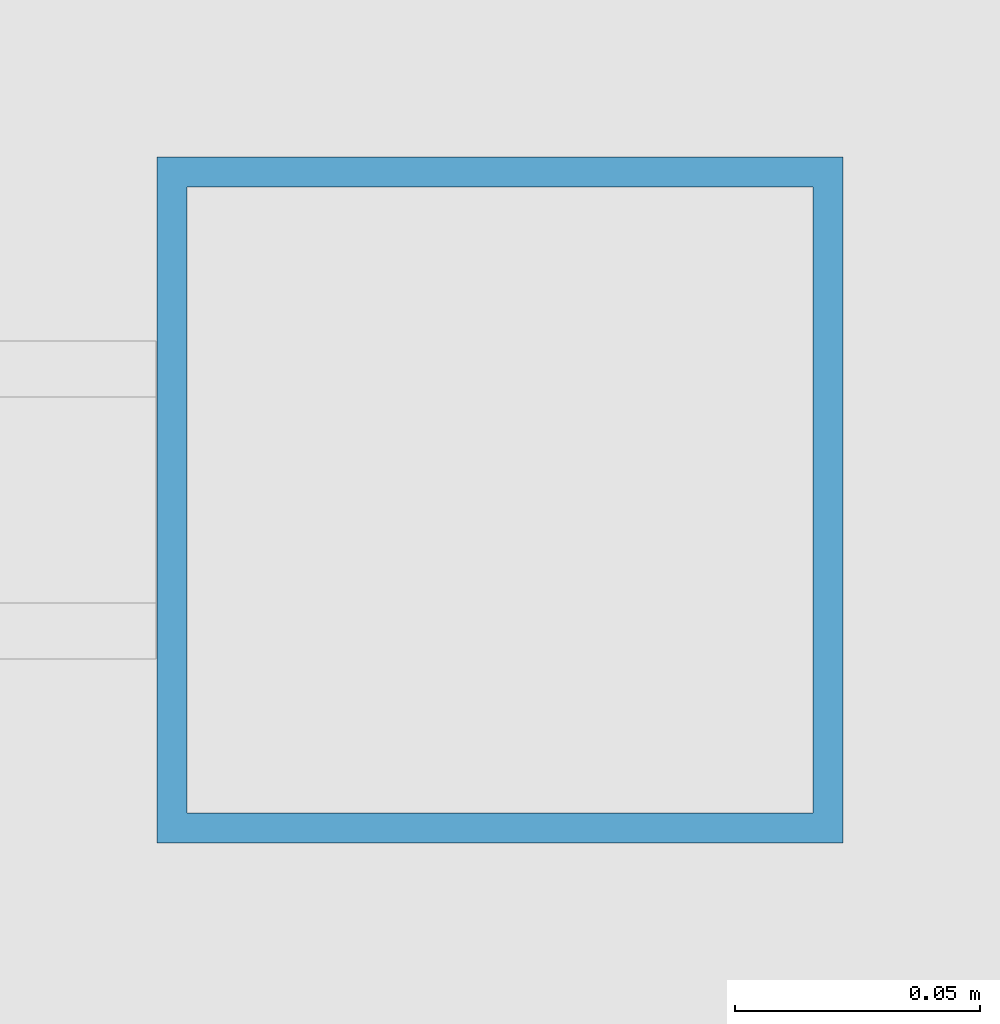
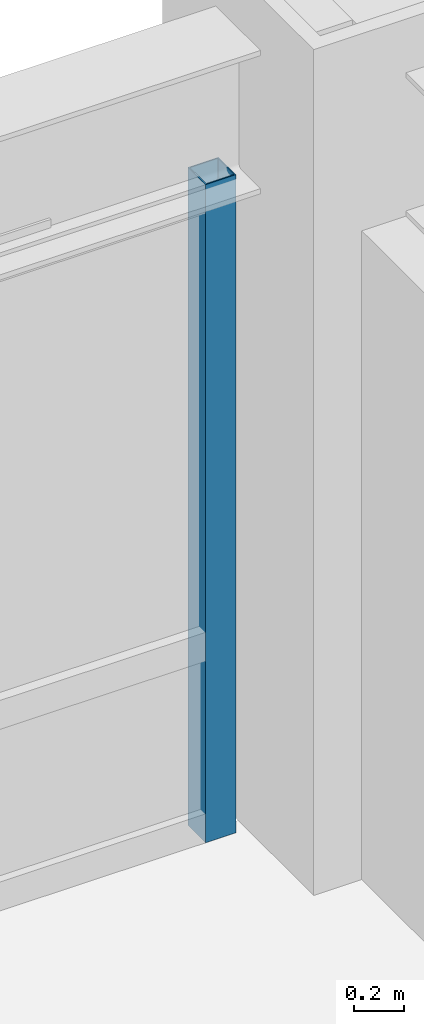
# One storey, part 21 of 32: 1 member, 1 element without a shape of its own.
"""IFC4 building model written with IfcOpenShell, lengths in metres."""

import ifcopenshell
import ifcopenshell.guid

model = None  # the IFC model being written
_history = None  # IfcOwnerHistory: only IFC2X3 demands one
_inside = {}  # id of a spatial element -> (the spatial element, [elements in it])
_under = {}  # id of a project, library or spatial element -> (it, [spatial elements below it])
_declared = {}  # id of a project -> (the project, [libraries it declares])
_typed = {}  # id of a type object -> (the type object, [elements of that type])
_made_of = {}  # id of a material, layer set ... -> (it, [elements and type objects made of it])


def new_model(schema):
    """Start an empty IFC model of exactly this schema.

    Asked for "IFC4X3", IfcOpenShell would pick the latest addendum, in which some entities
    have other attributes; the version numbers below select the first issue.
    IFC2X3 requires an IfcOwnerHistory on every rooted entity: one is made here for all.
    """
    global model, _history
    if schema == "IFC4X3":
        model = ifcopenshell.file(schema_version=(4, 3, 0, 0))
    else:
        model = ifcopenshell.file(schema=schema)
    _inside.clear()
    _under.clear()
    _declared.clear()
    _typed.clear()
    _made_of.clear()
    _history = None
    if model.schema == "IFC2X3":
        org = make("IfcOrganization", Name="unknown")
        user = make(
            "IfcPersonAndOrganization",
            ThePerson=make("IfcPerson", FamilyName="unknown"),
            TheOrganization=org,
        )
        app = make(
            "IfcApplication",
            ApplicationDeveloper=org,
            Version="unknown",
            ApplicationFullName="unknown",
            ApplicationIdentifier="unknown",
        )
        _history = make(
            "IfcOwnerHistory",
            OwningUser=user,
            OwningApplication=app,
            ChangeAction="ADDED",
            CreationDate=0,
        )
    return model


def make(cls, **values):
    """One entity of the class cls with the attributes given. An attribute that is None is left unset."""
    return model.create_entity(
        cls, **{name: value for name, value in values.items() if value is not None}
    )


def rooted(cls, **values):
    """An entity with a GlobalId (a new one), such as an element, a storey or a relation."""
    return make(cls, GlobalId=ifcopenshell.guid.new(), OwnerHistory=_history, **values)


def si_unit(unit_type, name, prefix=None):
    """IfcSIUnit, for example si_unit("LENGTHUNIT", "METRE", prefix="MILLI")."""
    return make("IfcSIUnit", UnitType=unit_type, Prefix=prefix, Name=name)


def assignment(units):
    """IfcUnitAssignment: the units of a project."""
    return None if units is None else make("IfcUnitAssignment", Units=units)


def point(xyz):
    """IfcCartesianPoint."""
    return None if xyz is None else make("IfcCartesianPoint", Coordinates=xyz)


def direction(xyz):
    """IfcDirection."""
    return None if xyz is None else make("IfcDirection", DirectionRatios=xyz)


def frame(location, z_axis=None, x_axis=None):
    """IfcAxis2Placement3D, a coordinate frame: its origin and axes. An axis left out is left unset."""
    return make(
        "IfcAxis2Placement3D",
        Location=point(location),
        Axis=direction(z_axis),
        RefDirection=direction(x_axis),
    )


def frame_2d(location, x_axis=None):
    """IfcAxis2Placement2D, a coordinate frame in the plane: its origin and x axis."""
    return make(
        "IfcAxis2Placement2D", Location=point(location), RefDirection=direction(x_axis)
    )


def origin():
    """The frame at (0, 0, 0) with its axes left unset."""
    return frame((0.0, 0.0, 0.0))


def origin_2d():
    """The frame at (0, 0) in the plane with its x axis left unset."""
    return frame_2d((0.0, 0.0))


def place(relative_to, where):
    """IfcLocalPlacement: puts the frame where relative to a parent placement (None: the world)."""
    return make(
        "IfcLocalPlacement", PlacementRelTo=relative_to, RelativePlacement=where
    )


def context(
    kind, dimensions, precision=None, world=None, true_north=None, identifier=None
):
    """IfcGeometricRepresentationContext, for example the 3D "Model" context."""
    return make(
        "IfcGeometricRepresentationContext",
        ContextIdentifier=identifier,
        ContextType=kind,
        CoordinateSpaceDimension=dimensions,
        Precision=precision,
        WorldCoordinateSystem=world,
        TrueNorth=true_north,
    )


def subcontext(parent, identifier, kind, view, scale=None):
    """IfcGeometricRepresentationSubContext, for example "Body" below "Model"."""
    return make(
        "IfcGeometricRepresentationSubContext",
        ContextIdentifier=identifier,
        ContextType=kind,
        ParentContext=parent,
        TargetScale=scale,
        TargetView=view,
    )


def project(units=None, contexts=None):
    """IfcProject with its units and contexts."""
    return rooted(
        "IfcProject",
        Name="project",
        RepresentationContexts=contexts,
        UnitsInContext=assignment(units),
    )


def spatial(cls, under=None, at=None, **own):
    """A site, building, storey or space (cls), placed at a placement, below another one or the project."""
    s = rooted(cls, ObjectPlacement=at, **own)
    if under is not None:
        _under.setdefault(under.id(), (under, []))[1].append(s)
    return s


def profile(cls, at=None, kind="AREA", **sizes):
    """A parametric profile (cls). Its sizes go by their IFC names, for example OverallWidth=200.0."""
    return make(cls, ProfileType=kind, Position=at, **sizes)


def hollow_rectangle(**sizes):
    """IfcRectangleHollowProfileDef."""
    return profile("IfcRectangleHollowProfileDef", **sizes)


def extrude(swept, where, along, depth):
    """IfcExtrudedAreaSolid: the profile swept, set in the frame where, extruded along a direction by depth."""
    return make(
        "IfcExtrudedAreaSolid",
        SweptArea=swept,
        Position=where,
        ExtrudedDirection=direction(along),
        Depth=depth,
    )


def shape(context_of_items, identifier, shape_type, items):
    """IfcShapeRepresentation: the items that make up one representation, for example the "Body"."""
    return make(
        "IfcShapeRepresentation",
        ContextOfItems=context_of_items,
        RepresentationIdentifier=identifier,
        RepresentationType=shape_type,
        Items=items,
    )


def source(mapping_origin, context_of_items, identifier, shape_type, items):
    """IfcRepresentationMap: a shape defined once, which mapped items show again and again."""
    return make(
        "IfcRepresentationMap",
        MappingOrigin=mapping_origin,
        MappedRepresentation=shape(context_of_items, identifier, shape_type, items),
    )


def transform(
    local_origin,
    x_axis=None,
    y_axis=None,
    z_axis=None,
    scale=None,
    scale2=None,
    scale3=None,
    uniform=True,
):
    """IfcCartesianTransformationOperator3D, or its non-uniform kind. x_axis, y_axis, z_axis: its Axis1, 2, 3."""
    if uniform:
        return make(
            "IfcCartesianTransformationOperator3D",
            Axis1=direction(x_axis),
            Axis2=direction(y_axis),
            LocalOrigin=point(local_origin),
            Scale=scale,
            Axis3=direction(z_axis),
        )
    return make(
        "IfcCartesianTransformationOperator3DnonUniform",
        Axis1=direction(x_axis),
        Axis2=direction(y_axis),
        LocalOrigin=point(local_origin),
        Scale=scale,
        Axis3=direction(z_axis),
        Scale2=scale2,
        Scale3=scale3,
    )


def mapped(mapping_source, mapping_target):
    """IfcMappedItem: shows the shape of a source again, moved by a transform."""
    return make(
        "IfcMappedItem", MappingSource=mapping_source, MappingTarget=mapping_target
    )


def material(Name=None, Category=None):
    """IfcMaterial."""
    return make("IfcMaterial", Name=Name, Category=Category)


def material_profile(
    of_material, cross_section, Name=None, Category=None, Priority=None
):
    """IfcMaterialProfile: a cross section and its material."""
    return make(
        "IfcMaterialProfile",
        Name=Name,
        Material=of_material,
        Profile=cross_section,
        Priority=Priority,
        Category=Category,
    )


def profile_set(profiles, Name=None, composite=None):
    """IfcMaterialProfileSet."""
    return make(
        "IfcMaterialProfileSet",
        Name=Name,
        MaterialProfiles=profiles,
        CompositeProfile=composite,
    )


def made_of(thing, what):
    """Note that an element or type object is made of a material, layer set ...; save() writes the relation."""
    if what is not None:
        _made_of.setdefault(what.id(), (what, []))[1].append(thing)
    return thing


def type_object(cls, material=None, **own):
    """A type object (cls), such as IfcWallType, which elements share."""
    return made_of(rooted(cls, **own), material)


def element(
    cls,
    number,
    at=None,
    inside=None,
    cuts=None,
    type_object=None,
    material=None,
    context=None,
    identifier="Body",
    shape_type=None,
    held_by="IfcProductDefinitionShape",
    body=None,
    shapes=None,
    **own,
):
    """One element of the class cls, such as IfcWall. Its Tag is "e" and its number.

    at: its placement. inside: the storey or other place that contains it. cuts: it is an
    opening in that element (IfcRelVoidsElement). A single representation is given by context,
    identifier, shape_type and body (its items); several are given by shapes. held_by: the class
    of the entity that holds the representations. save() writes the other relations.
    """
    e = rooted(cls, Tag="e%d" % number, ObjectPlacement=at, **own)
    if body is not None:
        shapes = [shape(context, identifier, shape_type, body)]
    if shapes is not None:
        e.Representation = make(held_by, Representations=shapes)
    if inside is not None:
        _inside.setdefault(inside.id(), (inside, []))[1].append(e)
    if cuts is not None:
        rooted(
            "IfcRelVoidsElement", RelatingBuildingElement=cuts, RelatedOpeningElement=e
        )
    if type_object is not None:
        _typed.setdefault(type_object.id(), (type_object, []))[1].append(e)
    return made_of(e, material)


def aggregate(whole, parts):
    """IfcRelAggregates: a whole, such as a stair, and the parts it consists of."""
    return rooted("IfcRelAggregates", RelatingObject=whole, RelatedObjects=parts)


def save(model, path):
    """Write the relations noted so far, then the file.

    IfcRelAggregates (storeys below a building ...), IfcRelContainedInSpatialStructure (elements
    in a storey), IfcRelDefinesByType, IfcRelAssociatesMaterial and IfcRelDeclares: one each for
    every whole, place, type object, material and project.
    """
    for whole, parts in _under.values():
        aggregate(whole, parts)
    for where, things in _inside.values():
        rooted(
            "IfcRelContainedInSpatialStructure",
            RelatedElements=things,
            RelatingStructure=where,
        )
    for kind, things in _typed.values():
        rooted("IfcRelDefinesByType", RelatedObjects=things, RelatingType=kind)
    for what, things in _made_of.values():
        rooted("IfcRelAssociatesMaterial", RelatedObjects=things, RelatingMaterial=what)
    for by, libraries in _declared.values():
        rooted("IfcRelDeclares", RelatingContext=by, RelatedDefinitions=libraries)
    model.write(path)


model = new_model("IFC4")

# Units and contexts
model_context = context("Model", 3, precision=1e-05, world=origin(), true_north=direction((0.0, 1.0)))
body_context = subcontext(model_context, "Body", "Model", "MODEL_VIEW")
ifc_project = project(units=[si_unit("LENGTHUNIT", "METRE"), si_unit("AREAUNIT", "SQUARE_METRE"), si_unit("VOLUMEUNIT", "CUBIC_METRE"), si_unit("PLANEANGLEUNIT", "RADIAN"), si_unit("MASSUNIT", "GRAM", prefix="KILO")], contexts=[model_context])

# Site, building, storey
site_placement = place(None, origin())
site = spatial("IfcSite", under=ifc_project, at=site_placement, CompositionType="ELEMENT")
building_placement = place(site_placement, origin())
building = spatial("IfcBuilding", under=site, at=building_placement, Name="Khorayat Bourse Tower", CompositionType="ELEMENT")
storey_placement = place(building_placement, frame((0.0, 0.0, 132.39990234375)))
storey = spatial("IfcBuildingStorey", under=building, at=storey_placement, Name="L30", CompositionType="ELEMENT", Elevation=132.39990234375)

# Curtain wall, member
ifc_material = material(Name="Aluminium EN AW-6063 T6", Category="aluminium")
curtain_wall_type = type_object("IfcCurtainWallType", Name="CW-SYS-02", PredefinedType="NOTDEFINED", material=ifc_material)
curtain_wall_placement = place(storey_placement, origin())
curtain_wall = element("IfcCurtainWall", 1, at=curtain_wall_placement, inside=storey, type_object=curtain_wall_type, Name="L30 Curtain Wall CW-L30-N1", PredefinedType="NOTDEFINED")
ifc_material_profile = material_profile(ifc_material, hollow_rectangle(XDim=0.139892578125, YDim=0.139892578125, WallThickness=0.006103515625, at=origin_2d()), Name="ALU 140x140x6")
ifc_profile_set = profile_set([ifc_material_profile], Name="Aluminium EN AW-6063 T6")
member_type = type_object("IfcMemberType", Name="CWM-VERT-140", PredefinedType="MULLION", material=ifc_profile_set)
shared_shape = source(origin(), body_context, "Body", "SweptSolid", [
    extrude(hollow_rectangle(XDim=0.139892578125, YDim=0.139892578125, WallThickness=0.006103515625, at=origin_2d()), origin(), (0.0, 0.0, 1.0), 3.190185546875),
])
member_placement = place(storey_placement, frame((27.280029296875, 32.0, 0.0), z_axis=(0.0, 0.0, 1.0), x_axis=(0.0, 1.0, 0.0)))
member = element("IfcMember", 2, at=member_placement, type_object=member_type, Name="CW-L30-N1 Vertical Mullion 3", PredefinedType="MULLION", context=body_context, shape_type="MappedRepresentation", body=[
    mapped(shared_shape, transform((0.0, 0.0, 0.0), scale=1.0)),
])
aggregate(curtain_wall, [member])

save(model, "model.ifc")
